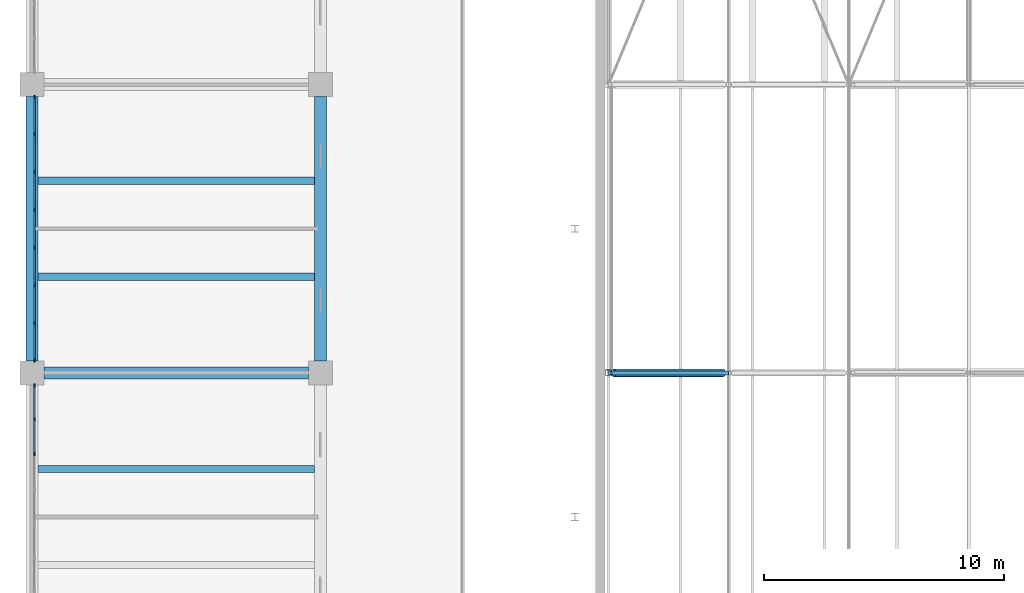
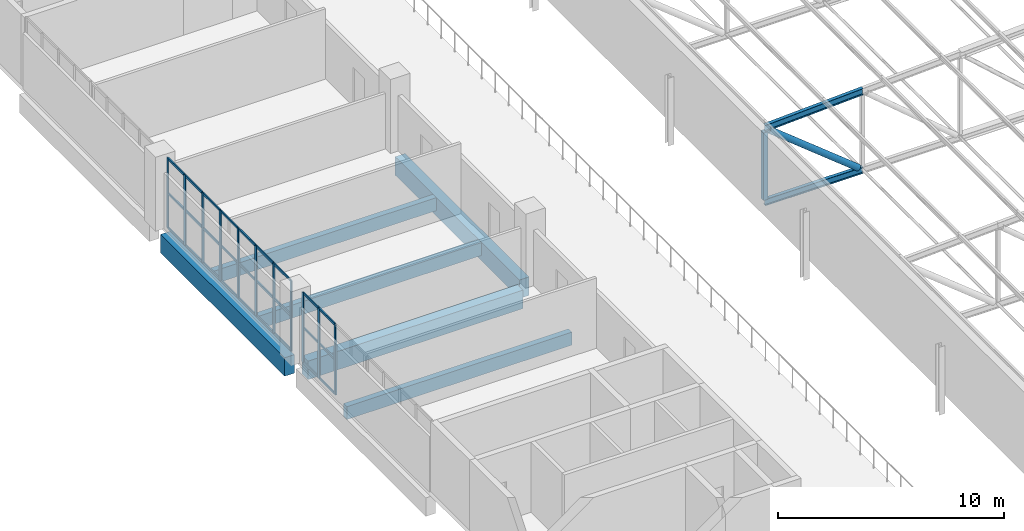
# One storey, part 24 of 156: 42 members, 6 beams, 2 elements without a shape of their own.
"""IFC4 building model written with IfcOpenShell, lengths in metres."""

from ifc_helpers import new_model, si_unit, direction, frame, origin, origin_2d, place, context, subcontext, project, spatial, rectangle, hollow_rectangle, hollow_circle, i_section, extrude, material, layer, layer_set, material_profile, profile_set, type_object, element, aggregate, save


model = new_model("IFC4")

# Units and contexts
model_context = context("Model", 3, precision=1e-05, world=origin(), true_north=direction((0.0, 1.0)))
body_context = subcontext(model_context, "Body", "Model", "MODEL_VIEW")
ifc_project = project(units=[si_unit("LENGTHUNIT", "METRE"), si_unit("AREAUNIT", "SQUARE_METRE"), si_unit("VOLUMEUNIT", "CUBIC_METRE"), si_unit("PLANEANGLEUNIT", "RADIAN"), si_unit("MASSUNIT", "GRAM", prefix="KILO")], contexts=[model_context])

# Site, building, storey
site_placement = place(None, origin())
site = spatial("IfcSite", under=ifc_project, at=site_placement, CompositionType="ELEMENT")
building_placement = place(site_placement, origin())
building = spatial("IfcBuilding", under=site, at=building_placement, Name="Lilac Gate Convention Centre", CompositionType="ELEMENT")
storey_placement = place(building_placement, frame((0.0, 0.0, 17.0)))
storey = spatial("IfcBuildingStorey", under=building, at=storey_placement, Name="L03", CompositionType="ELEMENT", Elevation=17.0)

# Curtain wall, members
ifc_material_1 = material(Name="Aluminium framed double glazing", Category="aluminium")
ifc_layer = layer(ifc_material_1, 0.199951171875)
ifc_layer_set = layer_set([ifc_layer], Name="Aluminium framed double glazing")
curtain_wall_type = type_object("IfcCurtainWallType", Name="Unitised curtain wall 1500", PredefinedType="NOTDEFINED", material=ifc_layer_set)
curtain_wall_1_placement = place(storey_placement, origin())
curtain_wall_1 = element("IfcCurtainWall", 1, at=curtain_wall_1_placement, inside=storey, type_object=curtain_wall_type, Name="Curtain wall PW L03 10", PredefinedType="NOTDEFINED")
ifc_material_2 = material(Name="Aluminium alloy 6063", Category="aluminium")
ifc_material_profile_1 = material_profile(ifc_material_2, rectangle(XDim=0.06005859375, YDim=0.159912109375, at=origin_2d()), Name="Curtain wall mullion 60 x 160")
ifc_profile_set_1 = profile_set([ifc_material_profile_1], Name="Aluminium alloy 6063")
member_type_1 = type_object("IfcMemberType", Name="Curtain wall mullion 60 x 160", PredefinedType="MULLION", material=ifc_profile_set_1)
member_1_placement = place(storey_placement, frame((6.10009765625, 77.469970703125, 0.0), z_axis=(0.0, 0.0, 1.0), x_axis=(1.0, 0.0, 0.0)))
member_1 = element("IfcMember", 2, at=member_1_placement, type_object=member_type_1, Name="CW mullion 1", PredefinedType="MULLION", context=body_context, shape_type="SweptSolid", body=[
    extrude(rectangle(XDim=0.06005859375, YDim=0.159912109375, at=origin_2d()), origin(), (0.0, 0.0, 1.0), 3.800048828125),
])
member_2_placement = place(storey_placement, frame((6.10009765625, 75.928466796875, 0.0), z_axis=(0.0, 0.0, 1.0), x_axis=(1.0, 0.0, 0.0)))
member_2 = element("IfcMember", 3, at=member_2_placement, type_object=member_type_1, Name="CW mullion 2", PredefinedType="MULLION", context=body_context, shape_type="SweptSolid", body=[
    extrude(rectangle(XDim=0.06005859375, YDim=0.159912109375, at=origin_2d()), origin(), (0.0, 0.0, 1.0), 3.800048828125),
])
member_3_placement = place(storey_placement, frame((6.10009765625, 74.357177734375, 0.0), z_axis=(0.0, 0.0, 1.0), x_axis=(1.0, 0.0, 0.0)))
member_3 = element("IfcMember", 4, at=member_3_placement, type_object=member_type_1, Name="CW mullion 3", PredefinedType="MULLION", context=body_context, shape_type="SweptSolid", body=[
    extrude(rectangle(XDim=0.06005859375, YDim=0.159912109375, at=origin_2d()), origin(), (0.0, 0.0, 1.0), 3.800048828125),
])
member_4_placement = place(storey_placement, frame((6.10009765625, 72.78564453125, 0.0), z_axis=(0.0, 0.0, 1.0), x_axis=(1.0, 0.0, 0.0)))
member_4 = element("IfcMember", 5, at=member_4_placement, type_object=member_type_1, Name="CW mullion 4", PredefinedType="MULLION", context=body_context, shape_type="SweptSolid", body=[
    extrude(rectangle(XDim=0.06005859375, YDim=0.159912109375, at=origin_2d()), origin(), (0.0, 0.0, 1.0), 3.800048828125),
])
member_5_placement = place(storey_placement, frame((6.10009765625, 71.21435546875, 0.0), z_axis=(0.0, 0.0, 1.0), x_axis=(1.0, 0.0, 0.0)))
member_5 = element("IfcMember", 6, at=member_5_placement, type_object=member_type_1, Name="CW mullion 5", PredefinedType="MULLION", context=body_context, shape_type="SweptSolid", body=[
    extrude(rectangle(XDim=0.06005859375, YDim=0.159912109375, at=origin_2d()), origin(), (0.0, 0.0, 1.0), 3.800048828125),
])
member_6_placement = place(storey_placement, frame((6.10009765625, 69.642822265625, 0.0), z_axis=(0.0, 0.0, 1.0), x_axis=(1.0, 0.0, 0.0)))
member_6 = element("IfcMember", 7, at=member_6_placement, type_object=member_type_1, Name="CW mullion 6", PredefinedType="MULLION", context=body_context, shape_type="SweptSolid", body=[
    extrude(rectangle(XDim=0.06005859375, YDim=0.159912109375, at=origin_2d()), origin(), (0.0, 0.0, 1.0), 3.800048828125),
])
member_7_placement = place(storey_placement, frame((6.10009765625, 68.071533203125, 0.0), z_axis=(0.0, 0.0, 1.0), x_axis=(1.0, 0.0, 0.0)))
member_7 = element("IfcMember", 8, at=member_7_placement, type_object=member_type_1, Name="CW mullion 7", PredefinedType="MULLION", context=body_context, shape_type="SweptSolid", body=[
    extrude(rectangle(XDim=0.06005859375, YDim=0.159912109375, at=origin_2d()), origin(), (0.0, 0.0, 1.0), 3.800048828125),
])
member_8_placement = place(storey_placement, frame((6.10009765625, 66.530029296875, 0.0), z_axis=(0.0, 0.0, 1.0), x_axis=(1.0, 0.0, 0.0)))
member_8 = element("IfcMember", 9, at=member_8_placement, type_object=member_type_1, Name="CW mullion 8", PredefinedType="MULLION", context=body_context, shape_type="SweptSolid", body=[
    extrude(rectangle(XDim=0.06005859375, YDim=0.159912109375, at=origin_2d()), origin(), (0.0, 0.0, 1.0), 3.800048828125),
])

curtain_wall_2_placement = place(storey_placement, origin())
curtain_wall_2 = element("IfcCurtainWall", 10, at=curtain_wall_2_placement, inside=storey, type_object=curtain_wall_type, Name="Curtain wall PW L03 11", PredefinedType="NOTDEFINED")
member_9_placement = place(storey_placement, frame((6.10009765625, 65.469970703125, 0.0), z_axis=(0.0, 0.0, 1.0), x_axis=(1.0, 0.0, 0.0)))
member_9 = element("IfcMember", 11, at=member_9_placement, type_object=member_type_1, Name="CW mullion 1", PredefinedType="MULLION", context=body_context, shape_type="SweptSolid", body=[
    extrude(rectangle(XDim=0.06005859375, YDim=0.159912109375, at=origin_2d()), origin(), (0.0, 0.0, 1.0), 3.800048828125),
])
member_10_placement = place(storey_placement, frame((6.10009765625, 64.0625, 0.0), z_axis=(0.0, 0.0, 1.0), x_axis=(1.0, 0.0, 0.0)))
member_10 = element("IfcMember", 12, at=member_10_placement, type_object=member_type_1, Name="CW mullion 2", PredefinedType="MULLION", context=body_context, shape_type="SweptSolid", body=[
    extrude(rectangle(XDim=0.06005859375, YDim=0.159912109375, at=origin_2d()), origin(), (0.0, 0.0, 1.0), 3.800048828125),
])
member_11_placement = place(storey_placement, frame((6.10009765625, 62.625, 0.0), z_axis=(0.0, 0.0, 1.0), x_axis=(1.0, 0.0, 0.0)))
member_11 = element("IfcMember", 13, at=member_11_placement, type_object=member_type_1, Name="CW mullion 3", PredefinedType="MULLION", context=body_context, shape_type="SweptSolid", body=[
    extrude(rectangle(XDim=0.06005859375, YDim=0.159912109375, at=origin_2d()), origin(), (0.0, 0.0, 1.0), 3.800048828125),
])

# Member
ifc_material_profile_2 = material_profile(ifc_material_2, rectangle(XDim=0.06005859375, YDim=0.1201171875, at=origin_2d()), Name="Curtain wall transom 60 x 120")
ifc_profile_set_2 = profile_set([ifc_material_profile_2], Name="Aluminium alloy 6063")
member_type_2 = type_object("IfcMemberType", Name="Curtain wall transom 60 x 120", PredefinedType="USERDEFINED", material=ifc_profile_set_2)
member_12_placement = place(storey_placement, frame((6.10009765625, 77.43994140625, 0.030029296875), z_axis=(0.0, -1.0, 0.0), x_axis=(1.0, 0.0, 0.0)))
member_12 = element("IfcMember", 14, at=member_12_placement, type_object=member_type_2, Name="CW transom 1.1", ObjectType="TRANSOM", PredefinedType="USERDEFINED", context=body_context, shape_type="SweptSolid", body=[
    extrude(rectangle(XDim=0.06005859375, YDim=0.1201171875, at=origin_2d()), origin(), (0.0, 0.0, 1.0), 1.4814453125),
])

member_13_placement = place(storey_placement, frame((6.10009765625, 77.43994140625, 1.89990234375), z_axis=(0.0, -1.0, 0.0), x_axis=(1.0, 0.0, 0.0)))
member_13 = element("IfcMember", 15, at=member_13_placement, type_object=member_type_2, Name="CW transom 1.2", ObjectType="TRANSOM", PredefinedType="USERDEFINED", context=body_context, shape_type="SweptSolid", body=[
    extrude(rectangle(XDim=0.06005859375, YDim=0.1201171875, at=origin_2d()), origin(), (0.0, 0.0, 1.0), 1.4814453125),
])

member_14_placement = place(storey_placement, frame((6.10009765625, 77.43994140625, 3.77001953125), z_axis=(0.0, -1.0, 0.0), x_axis=(1.0, 0.0, 0.0)))
member_14 = element("IfcMember", 16, at=member_14_placement, type_object=member_type_2, Name="CW transom 1.3", ObjectType="TRANSOM", PredefinedType="USERDEFINED", context=body_context, shape_type="SweptSolid", body=[
    extrude(rectangle(XDim=0.06005859375, YDim=0.1201171875, at=origin_2d()), origin(), (0.0, 0.0, 1.0), 1.4814453125),
])

member_15_placement = place(storey_placement, frame((6.10009765625, 75.898681640625, 0.030029296875), z_axis=(0.0, -1.0, 0.0), x_axis=(1.0, 0.0, 0.0)))
member_15 = element("IfcMember", 17, at=member_15_placement, type_object=member_type_2, Name="CW transom 2.1", ObjectType="TRANSOM", PredefinedType="USERDEFINED", context=body_context, shape_type="SweptSolid", body=[
    extrude(rectangle(XDim=0.06005859375, YDim=0.1201171875, at=origin_2d()), origin(), (0.0, 0.0, 1.0), 1.511474609375),
])

member_16_placement = place(storey_placement, frame((6.10009765625, 75.898681640625, 1.89990234375), z_axis=(0.0, -1.0, 0.0), x_axis=(1.0, 0.0, 0.0)))
member_16 = element("IfcMember", 18, at=member_16_placement, type_object=member_type_2, Name="CW transom 2.2", ObjectType="TRANSOM", PredefinedType="USERDEFINED", context=body_context, shape_type="SweptSolid", body=[
    extrude(rectangle(XDim=0.06005859375, YDim=0.1201171875, at=origin_2d()), origin(), (0.0, 0.0, 1.0), 1.511474609375),
])

member_17_placement = place(storey_placement, frame((6.10009765625, 75.898681640625, 3.77001953125), z_axis=(0.0, -1.0, 0.0), x_axis=(1.0, 0.0, 0.0)))
member_17 = element("IfcMember", 19, at=member_17_placement, type_object=member_type_2, Name="CW transom 2.3", ObjectType="TRANSOM", PredefinedType="USERDEFINED", context=body_context, shape_type="SweptSolid", body=[
    extrude(rectangle(XDim=0.06005859375, YDim=0.1201171875, at=origin_2d()), origin(), (0.0, 0.0, 1.0), 1.511474609375),
])

member_18_placement = place(storey_placement, frame((6.10009765625, 74.3271484375, 0.030029296875), z_axis=(0.0, -1.0, 0.0), x_axis=(1.0, 0.0, 0.0)))
member_18 = element("IfcMember", 20, at=member_18_placement, type_object=member_type_2, Name="CW transom 3.1", ObjectType="TRANSOM", PredefinedType="USERDEFINED", context=body_context, shape_type="SweptSolid", body=[
    extrude(rectangle(XDim=0.06005859375, YDim=0.1201171875, at=origin_2d()), origin(), (0.0, 0.0, 1.0), 1.511474609375),
])

member_19_placement = place(storey_placement, frame((6.10009765625, 74.3271484375, 1.89990234375), z_axis=(0.0, -1.0, 0.0), x_axis=(1.0, 0.0, 0.0)))
member_19 = element("IfcMember", 21, at=member_19_placement, type_object=member_type_2, Name="CW transom 3.2", ObjectType="TRANSOM", PredefinedType="USERDEFINED", context=body_context, shape_type="SweptSolid", body=[
    extrude(rectangle(XDim=0.06005859375, YDim=0.1201171875, at=origin_2d()), origin(), (0.0, 0.0, 1.0), 1.511474609375),
])

member_20_placement = place(storey_placement, frame((6.10009765625, 74.3271484375, 3.77001953125), z_axis=(0.0, -1.0, 0.0), x_axis=(1.0, 0.0, 0.0)))
member_20 = element("IfcMember", 22, at=member_20_placement, type_object=member_type_2, Name="CW transom 3.3", ObjectType="TRANSOM", PredefinedType="USERDEFINED", context=body_context, shape_type="SweptSolid", body=[
    extrude(rectangle(XDim=0.06005859375, YDim=0.1201171875, at=origin_2d()), origin(), (0.0, 0.0, 1.0), 1.511474609375),
])

member_21_placement = place(storey_placement, frame((6.10009765625, 72.755615234375, 0.030029296875), z_axis=(0.0, -1.0, 0.0), x_axis=(1.0, 0.0, 0.0)))
member_21 = element("IfcMember", 23, at=member_21_placement, type_object=member_type_2, Name="CW transom 4.1", ObjectType="TRANSOM", PredefinedType="USERDEFINED", context=body_context, shape_type="SweptSolid", body=[
    extrude(rectangle(XDim=0.06005859375, YDim=0.1201171875, at=origin_2d()), origin(), (0.0, 0.0, 1.0), 1.51123046875),
])

member_22_placement = place(storey_placement, frame((6.10009765625, 72.755615234375, 1.89990234375), z_axis=(0.0, -1.0, 0.0), x_axis=(1.0, 0.0, 0.0)))
member_22 = element("IfcMember", 24, at=member_22_placement, type_object=member_type_2, Name="CW transom 4.2", ObjectType="TRANSOM", PredefinedType="USERDEFINED", context=body_context, shape_type="SweptSolid", body=[
    extrude(rectangle(XDim=0.06005859375, YDim=0.1201171875, at=origin_2d()), origin(), (0.0, 0.0, 1.0), 1.51123046875),
])

member_23_placement = place(storey_placement, frame((6.10009765625, 72.755615234375, 3.77001953125), z_axis=(0.0, -1.0, 0.0), x_axis=(1.0, 0.0, 0.0)))
member_23 = element("IfcMember", 25, at=member_23_placement, type_object=member_type_2, Name="CW transom 4.3", ObjectType="TRANSOM", PredefinedType="USERDEFINED", context=body_context, shape_type="SweptSolid", body=[
    extrude(rectangle(XDim=0.06005859375, YDim=0.1201171875, at=origin_2d()), origin(), (0.0, 0.0, 1.0), 1.51123046875),
])

member_24_placement = place(storey_placement, frame((6.10009765625, 71.184326171875, 0.030029296875), z_axis=(0.0, -1.0, 0.0), x_axis=(1.0, 0.0, 0.0)))
member_24 = element("IfcMember", 26, at=member_24_placement, type_object=member_type_2, Name="CW transom 5.1", ObjectType="TRANSOM", PredefinedType="USERDEFINED", context=body_context, shape_type="SweptSolid", body=[
    extrude(rectangle(XDim=0.06005859375, YDim=0.1201171875, at=origin_2d()), origin(), (0.0, 0.0, 1.0), 1.511474609375),
])

member_25_placement = place(storey_placement, frame((6.10009765625, 71.184326171875, 1.89990234375), z_axis=(0.0, -1.0, 0.0), x_axis=(1.0, 0.0, 0.0)))
member_25 = element("IfcMember", 27, at=member_25_placement, type_object=member_type_2, Name="CW transom 5.2", ObjectType="TRANSOM", PredefinedType="USERDEFINED", context=body_context, shape_type="SweptSolid", body=[
    extrude(rectangle(XDim=0.06005859375, YDim=0.1201171875, at=origin_2d()), origin(), (0.0, 0.0, 1.0), 1.511474609375),
])

member_26_placement = place(storey_placement, frame((6.10009765625, 71.184326171875, 3.77001953125), z_axis=(0.0, -1.0, 0.0), x_axis=(1.0, 0.0, 0.0)))
member_26 = element("IfcMember", 28, at=member_26_placement, type_object=member_type_2, Name="CW transom 5.3", ObjectType="TRANSOM", PredefinedType="USERDEFINED", context=body_context, shape_type="SweptSolid", body=[
    extrude(rectangle(XDim=0.06005859375, YDim=0.1201171875, at=origin_2d()), origin(), (0.0, 0.0, 1.0), 1.511474609375),
])

member_27_placement = place(storey_placement, frame((6.10009765625, 69.61279296875, 0.030029296875), z_axis=(0.0, -1.0, 0.0), x_axis=(1.0, 0.0, 0.0)))
member_27 = element("IfcMember", 29, at=member_27_placement, type_object=member_type_2, Name="CW transom 6.1", ObjectType="TRANSOM", PredefinedType="USERDEFINED", context=body_context, shape_type="SweptSolid", body=[
    extrude(rectangle(XDim=0.06005859375, YDim=0.1201171875, at=origin_2d()), origin(), (0.0, 0.0, 1.0), 1.511474609375),
])

member_28_placement = place(storey_placement, frame((6.10009765625, 69.61279296875, 1.89990234375), z_axis=(0.0, -1.0, 0.0), x_axis=(1.0, 0.0, 0.0)))
member_28 = element("IfcMember", 30, at=member_28_placement, type_object=member_type_2, Name="CW transom 6.2", ObjectType="TRANSOM", PredefinedType="USERDEFINED", context=body_context, shape_type="SweptSolid", body=[
    extrude(rectangle(XDim=0.06005859375, YDim=0.1201171875, at=origin_2d()), origin(), (0.0, 0.0, 1.0), 1.511474609375),
])

member_29_placement = place(storey_placement, frame((6.10009765625, 69.61279296875, 3.77001953125), z_axis=(0.0, -1.0, 0.0), x_axis=(1.0, 0.0, 0.0)))
member_29 = element("IfcMember", 31, at=member_29_placement, type_object=member_type_2, Name="CW transom 6.3", ObjectType="TRANSOM", PredefinedType="USERDEFINED", context=body_context, shape_type="SweptSolid", body=[
    extrude(rectangle(XDim=0.06005859375, YDim=0.1201171875, at=origin_2d()), origin(), (0.0, 0.0, 1.0), 1.511474609375),
])

member_30_placement = place(storey_placement, frame((6.10009765625, 68.04150390625, 0.030029296875), z_axis=(0.0, -1.0, 0.0), x_axis=(1.0, 0.0, 0.0)))
member_30 = element("IfcMember", 32, at=member_30_placement, type_object=member_type_2, Name="CW transom 7.1", ObjectType="TRANSOM", PredefinedType="USERDEFINED", context=body_context, shape_type="SweptSolid", body=[
    extrude(rectangle(XDim=0.06005859375, YDim=0.1201171875, at=origin_2d()), origin(), (0.0, 0.0, 1.0), 1.4814453125),
])

member_31_placement = place(storey_placement, frame((6.10009765625, 68.04150390625, 1.89990234375), z_axis=(0.0, -1.0, 0.0), x_axis=(1.0, 0.0, 0.0)))
member_31 = element("IfcMember", 33, at=member_31_placement, type_object=member_type_2, Name="CW transom 7.2", ObjectType="TRANSOM", PredefinedType="USERDEFINED", context=body_context, shape_type="SweptSolid", body=[
    extrude(rectangle(XDim=0.06005859375, YDim=0.1201171875, at=origin_2d()), origin(), (0.0, 0.0, 1.0), 1.4814453125),
])

member_32_placement = place(storey_placement, frame((6.10009765625, 68.04150390625, 3.77001953125), z_axis=(0.0, -1.0, 0.0), x_axis=(1.0, 0.0, 0.0)))
member_32 = element("IfcMember", 34, at=member_32_placement, type_object=member_type_2, Name="CW transom 7.3", ObjectType="TRANSOM", PredefinedType="USERDEFINED", context=body_context, shape_type="SweptSolid", body=[
    extrude(rectangle(XDim=0.06005859375, YDim=0.1201171875, at=origin_2d()), origin(), (0.0, 0.0, 1.0), 1.4814453125),
])

aggregate(curtain_wall_1, [member_1, member_2, member_3, member_4, member_5, member_6, member_7, member_8, member_12, member_13, member_14, member_15, member_16, member_17, member_18, member_19, member_20, member_21, member_22, member_23, member_24, member_25, member_26, member_27, member_28, member_29, member_30, member_31, member_32])

member_33_placement = place(storey_placement, frame((6.10009765625, 65.43994140625, 0.030029296875), z_axis=(0.0, -1.0, 0.0), x_axis=(1.0, 0.0, 0.0)))
member_33 = element("IfcMember", 35, at=member_33_placement, type_object=member_type_2, Name="CW transom 1.1", ObjectType="TRANSOM", PredefinedType="USERDEFINED", context=body_context, shape_type="SweptSolid", body=[
    extrude(rectangle(XDim=0.06005859375, YDim=0.1201171875, at=origin_2d()), origin(), (0.0, 0.0, 1.0), 1.347412109375),
])

member_34_placement = place(storey_placement, frame((6.10009765625, 65.43994140625, 1.89990234375), z_axis=(0.0, -1.0, 0.0), x_axis=(1.0, 0.0, 0.0)))
member_34 = element("IfcMember", 36, at=member_34_placement, type_object=member_type_2, Name="CW transom 1.2", ObjectType="TRANSOM", PredefinedType="USERDEFINED", context=body_context, shape_type="SweptSolid", body=[
    extrude(rectangle(XDim=0.06005859375, YDim=0.1201171875, at=origin_2d()), origin(), (0.0, 0.0, 1.0), 1.347412109375),
])

member_35_placement = place(storey_placement, frame((6.10009765625, 65.43994140625, 3.77001953125), z_axis=(0.0, -1.0, 0.0), x_axis=(1.0, 0.0, 0.0)))
member_35 = element("IfcMember", 37, at=member_35_placement, type_object=member_type_2, Name="CW transom 1.3", ObjectType="TRANSOM", PredefinedType="USERDEFINED", context=body_context, shape_type="SweptSolid", body=[
    extrude(rectangle(XDim=0.06005859375, YDim=0.1201171875, at=origin_2d()), origin(), (0.0, 0.0, 1.0), 1.347412109375),
])

member_36_placement = place(storey_placement, frame((6.10009765625, 64.032470703125, 0.030029296875), z_axis=(0.0, -1.0, 0.0), x_axis=(1.0, 0.0, 0.0)))
member_36 = element("IfcMember", 38, at=member_36_placement, type_object=member_type_2, Name="CW transom 2.1", ObjectType="TRANSOM", PredefinedType="USERDEFINED", context=body_context, shape_type="SweptSolid", body=[
    extrude(rectangle(XDim=0.06005859375, YDim=0.1201171875, at=origin_2d()), origin(), (0.0, 0.0, 1.0), 1.37744140625),
])

member_37_placement = place(storey_placement, frame((6.10009765625, 64.032470703125, 1.89990234375), z_axis=(0.0, -1.0, 0.0), x_axis=(1.0, 0.0, 0.0)))
member_37 = element("IfcMember", 39, at=member_37_placement, type_object=member_type_2, Name="CW transom 2.2", ObjectType="TRANSOM", PredefinedType="USERDEFINED", context=body_context, shape_type="SweptSolid", body=[
    extrude(rectangle(XDim=0.06005859375, YDim=0.1201171875, at=origin_2d()), origin(), (0.0, 0.0, 1.0), 1.37744140625),
])

member_38_placement = place(storey_placement, frame((6.10009765625, 64.032470703125, 3.77001953125), z_axis=(0.0, -1.0, 0.0), x_axis=(1.0, 0.0, 0.0)))
member_38 = element("IfcMember", 40, at=member_38_placement, type_object=member_type_2, Name="CW transom 2.3", ObjectType="TRANSOM", PredefinedType="USERDEFINED", context=body_context, shape_type="SweptSolid", body=[
    extrude(rectangle(XDim=0.06005859375, YDim=0.1201171875, at=origin_2d()), origin(), (0.0, 0.0, 1.0), 1.37744140625),
])

aggregate(curtain_wall_2, [member_9, member_10, member_11, member_33, member_34, member_35, member_36, member_37, member_38])

# Beams
ifc_material_3 = material(Name="Concrete C40", Category="concrete")
ifc_material_profile_3 = material_profile(ifc_material_3, rectangle(XDim=0.5, YDim=1.0, at=origin_2d()), Name="RC 500x1000")
ifc_profile_set_3 = profile_set([ifc_material_profile_3], Name="Concrete C40")
beam_type_1 = type_object("IfcBeamType", Name="Primary beam 500x1000 C40", PredefinedType="BEAM", material=ifc_profile_set_3)
for number, where, z_axis, x_axis, name in (
    (41, (6.5, 66.0, -0.75), (1.0, 0.0, 0.0), (0.0, 1.0, 0.0), "RB1 L03 1/D-2/D"),
    (42, (6.0, 66.5, -0.75), (0.0, 1.0, 0.0), (-1.0, 0.0, 0.0), "RB1 L03 1/D-1/E"),
    (43, (18.0, 66.5, -0.75), (0.0, 1.0, 0.0), (-1.0, 0.0, 0.0), "RB1 L03 2/D-2/E"),
):
    element("IfcBeam", number, at=place(storey_placement, frame(where, z_axis=z_axis, x_axis=x_axis)), inside=storey, type_object=beam_type_1, Name=name, PredefinedType="BEAM", context=body_context, shape_type="SweptSolid", body=[
        extrude(rectangle(XDim=0.5, YDim=1.0, at=origin_2d()), origin(), (0.0, 0.0, 1.0), 11.0),
    ])
ifc_material_profile_4 = material_profile(ifc_material_3, rectangle(XDim=0.300048828125, YDim=0.699951171875, at=origin_2d()), Name="RC 300x700")
ifc_profile_set_4 = profile_set([ifc_material_profile_4], Name="Concrete C40")
beam_type_2 = type_object("IfcBeamType", Name="Secondary beam 300x700 C40", PredefinedType="BEAM", material=ifc_profile_set_4)
for number, where, z_axis, x_axis, name in (
    (44, (6.25, 62.0, -0.60009765625), (1.0, 0.0, 0.0), (0.0, 1.0, 0.0), "RB2 L03 bay 1/C"),
    (45, (6.25, 70.0, -0.60009765625), (1.0, 0.0, 0.0), (0.0, 1.0, 0.0), "RB2 L03 bay 1/D"),
    (46, (6.25, 74.0, -0.60009765625), (1.0, 0.0, 0.0), (0.0, 1.0, 0.0), "RB2 L03 bay 1/D"),
):
    element("IfcBeam", number, at=place(storey_placement, frame(where, z_axis=z_axis, x_axis=x_axis)), inside=storey, type_object=beam_type_2, Name=name, PredefinedType="BEAM", context=body_context, shape_type="SweptSolid", body=[
        extrude(rectangle(XDim=0.300048828125, YDim=0.699951171875, at=origin_2d()), origin(), (0.0, 0.0, 1.0), 11.5),
    ])

# Members
ifc_material_4 = material(Name="Steel Q355B", Category="steel")
ifc_material_profile_5 = material_profile(ifc_material_4, i_section(OverallWidth=0.175048828125, OverallDepth=0.35009765625, WebThickness=0.007080078125, FlangeThickness=0.010986328125, FilletRadius=0.012939453125, at=origin_2d()), Name="HN350x175x7x11")
ifc_profile_set_5 = profile_set([ifc_material_profile_5], Name="Steel Q355B")
member_type_3 = type_object("IfcMemberType", Name="Truss bottom chord HN350x175x7x11", PredefinedType="CHORD", material=ifc_profile_set_5)
member_39_placement = place(storey_placement, frame((30.0, 66.0, 0.0), z_axis=(1.0, 0.0, 0.0), x_axis=(0.0, 1.0, 0.0)))
element("IfcMember", 47, at=member_39_placement, inside=storey, type_object=member_type_3, Name="TB1 truss 4 bottom chord 1", PredefinedType="CHORD", context=body_context, shape_type="SweptSolid", body=[
    extrude(i_section(OverallWidth=0.175048828125, OverallDepth=0.35009765625, WebThickness=0.007080078125, FlangeThickness=0.010986328125, FilletRadius=0.012939453125, at=origin_2d()), origin(), (0.0, 0.0, 1.0), 5.0),
])
ifc_material_profile_6 = material_profile(ifc_material_4, hollow_circle(Radius=0.161865234375, WallThickness=0.011962890625, at=origin_2d()), Name="CHS323.9x12")
ifc_profile_set_6 = profile_set([ifc_material_profile_6], Name="Steel Q355B")
member_type_4 = type_object("IfcMemberType", Name="Truss diagonal CHS323.9x12", PredefinedType="BRACE", material=ifc_profile_set_6)
member_40_placement = place(storey_placement, frame((30.205322265625, 66.0, 3.835693359375), z_axis=(0.780876938611, 0.0, -0.624684885959), x_axis=(0.0, 1.0, 0.0)))
element("IfcMember", 48, at=member_40_placement, inside=storey, type_object=member_type_4, Name="TW1 truss 4 diagonal 1", PredefinedType="BRACE", context=body_context, shape_type="SweptSolid", body=[
    extrude(hollow_circle(Radius=0.161865234375, WallThickness=0.011962890625, at=origin_2d()), origin(), (0.0, 0.0, 1.0), 5.860107421875),
])
ifc_material_profile_7 = material_profile(ifc_material_4, i_section(OverallWidth=0.175048828125, OverallDepth=0.35009765625, WebThickness=0.007080078125, FlangeThickness=0.010986328125, FilletRadius=0.012939453125, at=origin_2d()), Name="HN350x175x7x11")
ifc_profile_set_7 = profile_set([ifc_material_profile_7], Name="Steel Q355B")
member_type_5 = type_object("IfcMemberType", Name="Truss top chord HN350x175x7x11", PredefinedType="CHORD", material=ifc_profile_set_7)
member_41_placement = place(storey_placement, frame((30.0, 66.0, 4.0), z_axis=(0.998752338878, 0.0, 0.049937616944), x_axis=(0.0, 1.0, 0.0)))
element("IfcMember", 49, at=member_41_placement, inside=storey, type_object=member_type_5, Name="TT1 truss 4 top chord 1", PredefinedType="CHORD", context=body_context, shape_type="SweptSolid", body=[
    extrude(i_section(OverallWidth=0.175048828125, OverallDepth=0.35009765625, WebThickness=0.007080078125, FlangeThickness=0.010986328125, FilletRadius=0.012939453125, at=origin_2d()), origin(), (0.0, 0.0, 1.0), 5.00634765625),
])
ifc_material_profile_8 = material_profile(ifc_material_4, hollow_rectangle(XDim=0.25, YDim=0.25, WallThickness=0.010009765625, InnerFilletRadius=0.014892578125, OuterFilletRadius=0.02490234375, at=origin_2d()), Name="SHS250x250x10")
ifc_profile_set_8 = profile_set([ifc_material_profile_8], Name="Steel Q355B")
member_type_6 = type_object("IfcMemberType", Name="Truss vertical SHS250x250x10", PredefinedType="STRUT", material=ifc_profile_set_8)
member_42_placement = place(storey_placement, frame((30.0, 66.0, 0.175048828125), z_axis=(0.0, 0.0, 1.0), x_axis=(1.0, 0.0, 0.0)))
element("IfcMember", 50, at=member_42_placement, inside=storey, type_object=member_type_6, Name="TV1 truss 4 vertical 1", PredefinedType="STRUT", context=body_context, shape_type="SweptSolid", body=[
    extrude(hollow_rectangle(XDim=0.25, YDim=0.25, WallThickness=0.010009765625, InnerFilletRadius=0.014892578125, OuterFilletRadius=0.02490234375, at=origin_2d()), origin(), (0.0, 0.0, 1.0), 3.649658203125),
])

save(model, "model.ifc")
